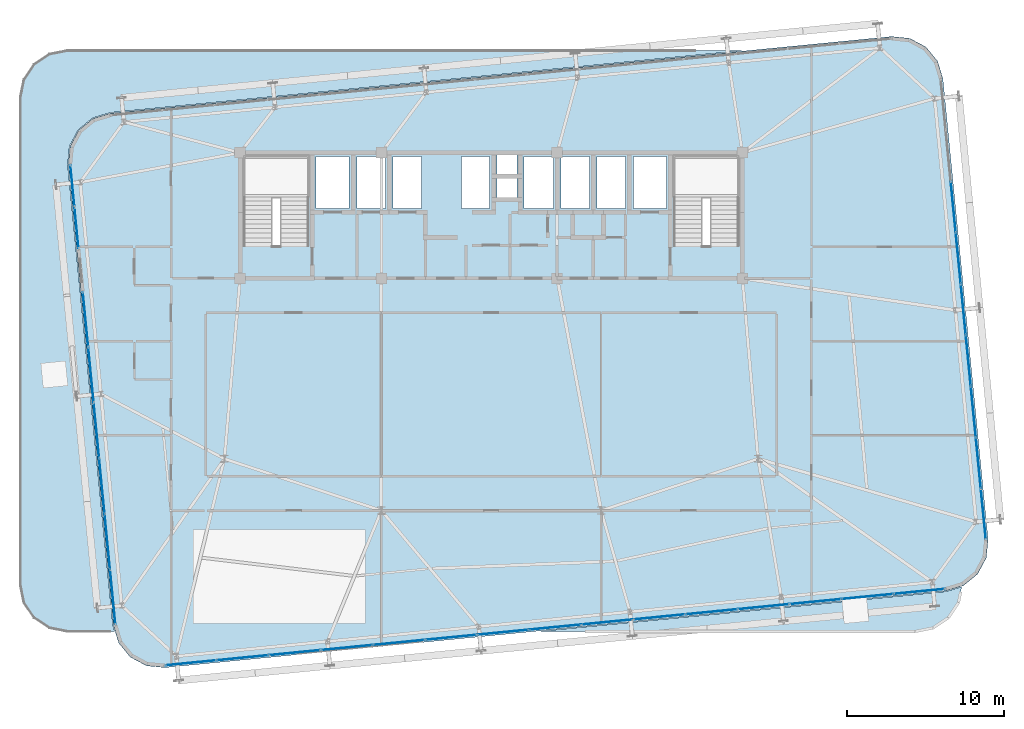
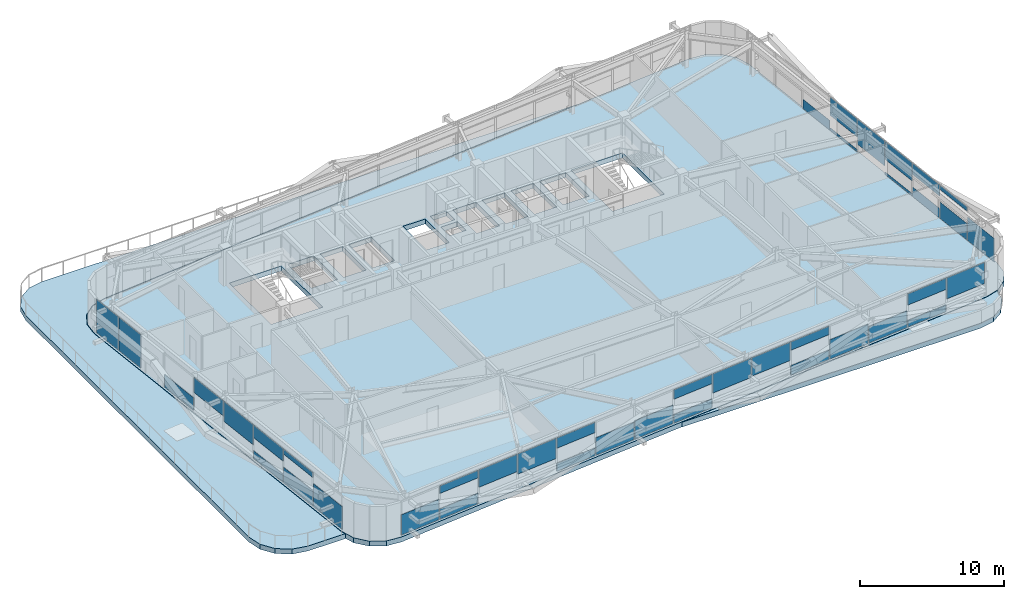
# One storey, part 34 of 51: 41 plates, 3 slabs, 4 elements without a shape of their own.
"""IFC4 building model written with IfcOpenShell, lengths in metres."""

import ifcopenshell
import ifcopenshell.guid

model = None  # the IFC model being written
_history = None  # IfcOwnerHistory: only IFC2X3 demands one
_inside = {}  # id of a spatial element -> (the spatial element, [elements in it])
_under = {}  # id of a project, library or spatial element -> (it, [spatial elements below it])
_declared = {}  # id of a project -> (the project, [libraries it declares])
_typed = {}  # id of a type object -> (the type object, [elements of that type])
_made_of = {}  # id of a material, layer set ... -> (it, [elements and type objects made of it])


def new_model(schema):
    """Start an empty IFC model of exactly this schema.

    Asked for "IFC4X3", IfcOpenShell would pick the latest addendum, in which some entities
    have other attributes; the version numbers below select the first issue.
    IFC2X3 requires an IfcOwnerHistory on every rooted entity: one is made here for all.
    """
    global model, _history
    if schema == "IFC4X3":
        model = ifcopenshell.file(schema_version=(4, 3, 0, 0))
    else:
        model = ifcopenshell.file(schema=schema)
    _inside.clear()
    _under.clear()
    _declared.clear()
    _typed.clear()
    _made_of.clear()
    _history = None
    if model.schema == "IFC2X3":
        org = make("IfcOrganization", Name="unknown")
        user = make(
            "IfcPersonAndOrganization",
            ThePerson=make("IfcPerson", FamilyName="unknown"),
            TheOrganization=org,
        )
        app = make(
            "IfcApplication",
            ApplicationDeveloper=org,
            Version="unknown",
            ApplicationFullName="unknown",
            ApplicationIdentifier="unknown",
        )
        _history = make(
            "IfcOwnerHistory",
            OwningUser=user,
            OwningApplication=app,
            ChangeAction="ADDED",
            CreationDate=0,
        )
    return model


def make(cls, **values):
    """One entity of the class cls with the attributes given. An attribute that is None is left unset."""
    return model.create_entity(
        cls, **{name: value for name, value in values.items() if value is not None}
    )


def rooted(cls, **values):
    """An entity with a GlobalId (a new one), such as an element, a storey or a relation."""
    return make(cls, GlobalId=ifcopenshell.guid.new(), OwnerHistory=_history, **values)


def si_unit(unit_type, name, prefix=None):
    """IfcSIUnit, for example si_unit("LENGTHUNIT", "METRE", prefix="MILLI")."""
    return make("IfcSIUnit", UnitType=unit_type, Prefix=prefix, Name=name)


def assignment(units):
    """IfcUnitAssignment: the units of a project."""
    return None if units is None else make("IfcUnitAssignment", Units=units)


def point(xyz):
    """IfcCartesianPoint."""
    return None if xyz is None else make("IfcCartesianPoint", Coordinates=xyz)


def direction(xyz):
    """IfcDirection."""
    return None if xyz is None else make("IfcDirection", DirectionRatios=xyz)


def frame(location, z_axis=None, x_axis=None):
    """IfcAxis2Placement3D, a coordinate frame: its origin and axes. An axis left out is left unset."""
    return make(
        "IfcAxis2Placement3D",
        Location=point(location),
        Axis=direction(z_axis),
        RefDirection=direction(x_axis),
    )


def frame_2d(location, x_axis=None):
    """IfcAxis2Placement2D, a coordinate frame in the plane: its origin and x axis."""
    return make(
        "IfcAxis2Placement2D", Location=point(location), RefDirection=direction(x_axis)
    )


def origin():
    """The frame at (0, 0, 0) with its axes left unset."""
    return frame((0.0, 0.0, 0.0))


def origin_2d():
    """The frame at (0, 0) in the plane with its x axis left unset."""
    return frame_2d((0.0, 0.0))


def place(relative_to, where):
    """IfcLocalPlacement: puts the frame where relative to a parent placement (None: the world)."""
    return make(
        "IfcLocalPlacement", PlacementRelTo=relative_to, RelativePlacement=where
    )


def context(
    kind, dimensions, precision=None, world=None, true_north=None, identifier=None
):
    """IfcGeometricRepresentationContext, for example the 3D "Model" context."""
    return make(
        "IfcGeometricRepresentationContext",
        ContextIdentifier=identifier,
        ContextType=kind,
        CoordinateSpaceDimension=dimensions,
        Precision=precision,
        WorldCoordinateSystem=world,
        TrueNorth=true_north,
    )


def subcontext(parent, identifier, kind, view, scale=None):
    """IfcGeometricRepresentationSubContext, for example "Body" below "Model"."""
    return make(
        "IfcGeometricRepresentationSubContext",
        ContextIdentifier=identifier,
        ContextType=kind,
        ParentContext=parent,
        TargetScale=scale,
        TargetView=view,
    )


def project(units=None, contexts=None):
    """IfcProject with its units and contexts."""
    return rooted(
        "IfcProject",
        Name="project",
        RepresentationContexts=contexts,
        UnitsInContext=assignment(units),
    )


def spatial(cls, under=None, at=None, **own):
    """A site, building, storey or space (cls), placed at a placement, below another one or the project."""
    s = rooted(cls, ObjectPlacement=at, **own)
    if under is not None:
        _under.setdefault(under.id(), (under, []))[1].append(s)
    return s


def polyline(points):
    """IfcPolyline through the points."""
    return make("IfcPolyline", Points=[point(p) for p in points])


def profile(cls, at=None, kind="AREA", **sizes):
    """A parametric profile (cls). Its sizes go by their IFC names, for example OverallWidth=200.0."""
    return make(cls, ProfileType=kind, Position=at, **sizes)


def rectangle(**sizes):
    """IfcRectangleProfileDef."""
    return profile("IfcRectangleProfileDef", **sizes)


def outline(outer, holes=None, kind="AREA"):
    """IfcArbitraryClosedProfileDef: a profile drawn as a closed curve; with holes, ...WithVoids."""
    if holes is None:
        return make("IfcArbitraryClosedProfileDef", ProfileType=kind, OuterCurve=outer)
    return make(
        "IfcArbitraryProfileDefWithVoids",
        ProfileType=kind,
        OuterCurve=outer,
        InnerCurves=holes,
    )


def extrude(swept, where, along, depth):
    """IfcExtrudedAreaSolid: the profile swept, set in the frame where, extruded along a direction by depth."""
    return make(
        "IfcExtrudedAreaSolid",
        SweptArea=swept,
        Position=where,
        ExtrudedDirection=direction(along),
        Depth=depth,
    )


def shape(context_of_items, identifier, shape_type, items):
    """IfcShapeRepresentation: the items that make up one representation, for example the "Body"."""
    return make(
        "IfcShapeRepresentation",
        ContextOfItems=context_of_items,
        RepresentationIdentifier=identifier,
        RepresentationType=shape_type,
        Items=items,
    )


def source(mapping_origin, context_of_items, identifier, shape_type, items):
    """IfcRepresentationMap: a shape defined once, which mapped items show again and again."""
    return make(
        "IfcRepresentationMap",
        MappingOrigin=mapping_origin,
        MappedRepresentation=shape(context_of_items, identifier, shape_type, items),
    )


def transform(
    local_origin,
    x_axis=None,
    y_axis=None,
    z_axis=None,
    scale=None,
    scale2=None,
    scale3=None,
    uniform=True,
):
    """IfcCartesianTransformationOperator3D, or its non-uniform kind. x_axis, y_axis, z_axis: its Axis1, 2, 3."""
    if uniform:
        return make(
            "IfcCartesianTransformationOperator3D",
            Axis1=direction(x_axis),
            Axis2=direction(y_axis),
            LocalOrigin=point(local_origin),
            Scale=scale,
            Axis3=direction(z_axis),
        )
    return make(
        "IfcCartesianTransformationOperator3DnonUniform",
        Axis1=direction(x_axis),
        Axis2=direction(y_axis),
        LocalOrigin=point(local_origin),
        Scale=scale,
        Axis3=direction(z_axis),
        Scale2=scale2,
        Scale3=scale3,
    )


def mapped(mapping_source, mapping_target):
    """IfcMappedItem: shows the shape of a source again, moved by a transform."""
    return make(
        "IfcMappedItem", MappingSource=mapping_source, MappingTarget=mapping_target
    )


def material(Name=None, Category=None):
    """IfcMaterial."""
    return make("IfcMaterial", Name=Name, Category=Category)


def layer(
    of_material, thickness, ventilated=None, Name=None, Category=None, Priority=None
):
    """IfcMaterialLayer: one layer of a wall or slab, of a material (None: an air gap)."""
    return make(
        "IfcMaterialLayer",
        Material=of_material,
        LayerThickness=thickness,
        IsVentilated=ventilated,
        Name=Name,
        Category=Category,
        Priority=Priority,
    )


def layer_set(layers, Name=None):
    """IfcMaterialLayerSet."""
    return make("IfcMaterialLayerSet", MaterialLayers=layers, LayerSetName=Name)


def made_of(thing, what):
    """Note that an element or type object is made of a material, layer set ...; save() writes the relation."""
    if what is not None:
        _made_of.setdefault(what.id(), (what, []))[1].append(thing)
    return thing


def type_object(cls, material=None, **own):
    """A type object (cls), such as IfcWallType, which elements share."""
    return made_of(rooted(cls, **own), material)


def element(
    cls,
    number,
    at=None,
    inside=None,
    cuts=None,
    type_object=None,
    material=None,
    context=None,
    identifier="Body",
    shape_type=None,
    held_by="IfcProductDefinitionShape",
    body=None,
    shapes=None,
    **own,
):
    """One element of the class cls, such as IfcWall. Its Tag is "e" and its number.

    at: its placement. inside: the storey or other place that contains it. cuts: it is an
    opening in that element (IfcRelVoidsElement). A single representation is given by context,
    identifier, shape_type and body (its items); several are given by shapes. held_by: the class
    of the entity that holds the representations. save() writes the other relations.
    """
    e = rooted(cls, Tag="e%d" % number, ObjectPlacement=at, **own)
    if body is not None:
        shapes = [shape(context, identifier, shape_type, body)]
    if shapes is not None:
        e.Representation = make(held_by, Representations=shapes)
    if inside is not None:
        _inside.setdefault(inside.id(), (inside, []))[1].append(e)
    if cuts is not None:
        rooted(
            "IfcRelVoidsElement", RelatingBuildingElement=cuts, RelatedOpeningElement=e
        )
    if type_object is not None:
        _typed.setdefault(type_object.id(), (type_object, []))[1].append(e)
    return made_of(e, material)


def aggregate(whole, parts):
    """IfcRelAggregates: a whole, such as a stair, and the parts it consists of."""
    return rooted("IfcRelAggregates", RelatingObject=whole, RelatedObjects=parts)


def save(model, path):
    """Write the relations noted so far, then the file.

    IfcRelAggregates (storeys below a building ...), IfcRelContainedInSpatialStructure (elements
    in a storey), IfcRelDefinesByType, IfcRelAssociatesMaterial and IfcRelDeclares: one each for
    every whole, place, type object, material and project.
    """
    for whole, parts in _under.values():
        aggregate(whole, parts)
    for where, things in _inside.values():
        rooted(
            "IfcRelContainedInSpatialStructure",
            RelatedElements=things,
            RelatingStructure=where,
        )
    for kind, things in _typed.values():
        rooted("IfcRelDefinesByType", RelatedObjects=things, RelatingType=kind)
    for what, things in _made_of.values():
        rooted("IfcRelAssociatesMaterial", RelatedObjects=things, RelatingMaterial=what)
    for by, libraries in _declared.values():
        rooted("IfcRelDeclares", RelatingContext=by, RelatedDefinitions=libraries)
    model.write(path)


model = new_model("IFC4")

# Units and contexts
model_context = context("Model", 3, precision=1e-05, world=origin(), true_north=direction((0.0, 1.0)))
body_context = subcontext(model_context, "Body", "Model", "MODEL_VIEW")
ifc_project = project(units=[si_unit("LENGTHUNIT", "METRE"), si_unit("AREAUNIT", "SQUARE_METRE"), si_unit("VOLUMEUNIT", "CUBIC_METRE"), si_unit("PLANEANGLEUNIT", "RADIAN"), si_unit("MASSUNIT", "GRAM", prefix="KILO")], contexts=[model_context])

# Site, building, storey
site_placement = place(None, origin())
site = spatial("IfcSite", under=ifc_project, at=site_placement, CompositionType="ELEMENT")
building_placement = place(site_placement, origin())
building = spatial("IfcBuilding", under=site, at=building_placement, Name="Taldren Reach Tower", CompositionType="ELEMENT")
storey_placement = place(building_placement, frame((0.0, 0.0, 65.10009765625)))
storey = spatial("IfcBuildingStorey", under=building, at=storey_placement, Name="L19", CompositionType="ELEMENT", Elevation=65.10009765625)

# Slabs
ifc_material_1 = material(Name="Concrete S50 (50 MPa)", Category="concrete")
ifc_layer_1 = layer(ifc_material_1, 0.419921875)
ifc_layer_set_1 = layer_set([ifc_layer_1], Name="Concrete S50 (50 MPa)")
slab_type_1 = type_object("IfcSlabType", Name="SL-TERR-420", PredefinedType="FLOOR", material=ifc_layer_set_1)
slab_1_placement = place(storey_placement, frame((0.0, 0.0, -0.420166015625)))
element("IfcSlab", 1, at=slab_1_placement, inside=storey, type_object=slab_type_1, Name="Planted setback sky terrace L19-1", PredefinedType="FLOOR", context=body_context, shape_type="SweptSolid", body=[
    extrude(outline(polyline([(6.85205078125, 1.728271484375), (5.878662109375, 2.378662109375), (5.228271484375, 3.35205078125), (5.0, 4.5), (5.0, 35.5), (5.228271484375, 36.64794921875), (5.878662109375, 37.621337890625), (6.85205078125, 38.271728515625), (8.0, 38.5), (50.962646484375, 38.5), (10.734375, 34.5556640625), (10.7314453125, 34.55517578125), (10.728515625, 34.554443359375), (9.608154296875, 34.215087890625), (9.60546875, 34.214111328125), (9.602783203125, 34.212890625), (9.600341796875, 34.21142578125), (9.597900390625, 34.209716796875), (8.69287109375, 33.467529296875), (8.690673828125, 33.46533203125), (8.6884765625, 33.46337890625), (8.686767578125, 33.4609375), (8.685302734375, 33.45849609375), (8.133056640625, 32.42626953125), (8.1318359375, 32.423583984375), (8.130859375, 32.4208984375), (8.130126953125, 32.41796875), (8.129638671875, 32.4150390625), (8.014404296875, 31.250244140625), (8.014404296875, 31.247314453125), (8.014404296875, 31.244384765625), (10.89306640625, 1.88525390625), (10.8935546875, 1.88232421875), (10.894287109375, 1.87939453125), (11.00927734375, 1.5), (8.0, 1.5), (6.85205078125, 1.728271484375)])), origin(), (0.0, 0.0, 1.0), 0.420166015625),
])
slab_2_placement = place(storey_placement, frame((0.0, 0.0, -0.420166015625)))
element("IfcSlab", 2, at=slab_2_placement, inside=storey, type_object=slab_type_1, Name="Planted setback sky terrace L19-2", PredefinedType="FLOOR", context=body_context, shape_type="SweptSolid", body=[
    extrude(outline(polyline([(64.121337890625, 2.378662109375), (63.14794921875, 1.728271484375), (62.0, 1.5), (38.015625, 1.5), (63.9658203125, 4.04443359375), (63.968505859375, 4.044921875), (63.971435546875, 4.045654296875), (64.9697265625, 4.347900390625), (64.771728515625, 3.35205078125), (64.121337890625, 2.378662109375)])), origin(), (0.0, 0.0, 1.0), 0.420166015625),
])
ifc_material_2 = material(Name="Concrete S65 (65 MPa)", Category="concrete")
ifc_layer_2 = layer(ifc_material_2, 0.419921875)
ifc_layer_set_2 = layer_set([ifc_layer_2], Name="Concrete S65 (65 MPa)")
slab_type_2 = type_object("IfcSlabType", Name="SL-TRANS-420", PredefinedType="FLOOR", material=ifc_layer_set_2)
slab_3_placement = place(storey_placement, frame((0.0, 0.0, -0.420166015625)))
element("IfcSlab", 3, at=slab_3_placement, inside=storey, type_object=slab_type_2, Name="Suspended floor slab L19", PredefinedType="FLOOR", context=body_context, shape_type="SweptSolid", body=[
    extrude(outline(polyline([(63.962890625, 4.07421875), (65.0830078125, 4.41357421875), (65.98828125, 5.15576171875), (66.54052734375, 6.187744140625), (66.65576171875, 7.352783203125), (63.777099609375, 36.7119140625), (63.437744140625, 37.832275390625), (62.695556640625, 38.7373046875), (61.663330078125, 39.28955078125), (60.49853515625, 39.40478515625), (10.7373046875, 34.525634765625), (9.616943359375, 34.1865234375), (8.711669921875, 33.4443359375), (8.159423828125, 32.412109375), (8.044189453125, 31.247314453125), (10.923095703125, 1.88818359375), (11.26220703125, 0.767822265625), (12.00439453125, -0.137451171875), (13.03662109375, -0.689697265625), (14.201416015625, -0.804931640625), (63.962890625, 4.07421875)]), holes=[polyline([(19.219970703125, 26.050048828125), (23.3798828125, 26.050048828125), (23.3798828125, 31.820068359375), (19.219970703125, 31.820068359375), (19.219970703125, 26.050048828125)]), polyline([(46.6201171875, 26.050048828125), (50.780029296875, 26.050048828125), (50.780029296875, 31.820068359375), (46.6201171875, 31.820068359375), (46.6201171875, 26.050048828125)]), polyline([(23.85009765625, 28.449951171875), (25.949951171875, 28.449951171875), (25.949951171875, 31.75), (23.85009765625, 31.75), (23.85009765625, 28.449951171875)]), polyline([(44.050048828125, 28.449951171875), (46.14990234375, 28.449951171875), (46.14990234375, 31.75), (44.050048828125, 31.75), (44.050048828125, 28.449951171875)]), polyline([(26.449951171875, 28.449951171875), (28.25, 28.449951171875), (28.25, 31.75), (26.449951171875, 31.75), (26.449951171875, 28.449951171875)]), polyline([(28.75, 28.449951171875), (30.550048828125, 28.449951171875), (30.550048828125, 31.75), (28.75, 31.75), (28.75, 28.449951171875)]), polyline([(33.10009765625, 28.449951171875), (34.89990234375, 28.449951171875), (34.89990234375, 31.75), (33.10009765625, 31.75), (33.10009765625, 28.449951171875)]), polyline([(37.10009765625, 28.449951171875), (38.949951171875, 28.449951171875), (38.949951171875, 31.75), (37.10009765625, 31.75), (37.10009765625, 28.449951171875)]), polyline([(39.449951171875, 28.449951171875), (41.25, 28.449951171875), (41.25, 31.75), (39.449951171875, 31.75), (39.449951171875, 28.449951171875)]), polyline([(41.75, 28.449951171875), (43.550048828125, 28.449951171875), (43.550048828125, 31.75), (41.75, 31.75), (41.75, 28.449951171875)]), polyline([(35.35009765625, 30.64990234375), (36.64990234375, 30.64990234375), (36.64990234375, 31.85009765625), (35.35009765625, 31.85009765625), (35.35009765625, 30.64990234375)]), polyline([(35.35009765625, 29.14990234375), (36.64990234375, 29.14990234375), (36.64990234375, 30.35009765625), (35.35009765625, 30.35009765625), (35.35009765625, 29.14990234375)])]), origin(), (0.0, 0.0, 1.0), 0.420166015625),
])

# Curtain wall, plates
ifc_material_3 = material(Name="Aluminium and Low-E Glass Unitised System", Category="aluminium")
ifc_layer_3 = layer(ifc_material_3, 0.159912109375)
ifc_layer_set_3 = layer_set([ifc_layer_3], Name="Aluminium and Low-E Glass Unitised System")
curtain_wall_type = type_object("IfcCurtainWallType", Name="CW-SYS-3", PredefinedType="NOTDEFINED", material=ifc_layer_set_3)
curtain_wall_1_placement = place(storey_placement, origin())
curtain_wall_1 = element("IfcCurtainWall", 4, at=curtain_wall_1_placement, inside=storey, type_object=curtain_wall_type, Name="Unitised curtain wall CW-L19-W1", PredefinedType="NOTDEFINED")
ifc_material_4 = material(Name="Solar-Control Double Glazed IGU", Category="glass")
ifc_layer_4 = layer(ifc_material_4, 0.031982421875)
ifc_layer_set_4 = layer_set([ifc_layer_4], Name="Solar-Control Double Glazed IGU")
plate_type = type_object("IfcPlateType", Name="CW-PNL-IGU32", PredefinedType="CURTAIN_PANEL", material=ifc_layer_set_4)
shared_shape_1 = source(origin(), body_context, "Body", "SweptSolid", [
    extrude(rectangle(XDim=2.6201171875, YDim=0.031982421875, at=origin_2d()), origin(), (0.0, 0.0, 1.0), 2.820068359375),
])
plate_1_placement = place(storey_placement, frame((8.31787109375, 29.892578125, 0.0546875), z_axis=(0.0, 0.0, 1.0), x_axis=(0.097582358493, -0.995227453053, 0.0)))
plate_1 = element("IfcPlate", 5, at=plate_1_placement, type_object=plate_type, Name="CW-3 panel 1.1", PredefinedType="CURTAIN_PANEL", context=body_context, shape_type="MappedRepresentation", body=[
    mapped(shared_shape_1, transform((0.0, 0.0, 0.0), scale=1.0)),
])
plate_2_placement = place(storey_placement, frame((8.579833984375, 27.22021484375, 0.0546875), z_axis=(0.0, 0.0, 1.0), x_axis=(0.097582358493, -0.995227453053, 0.0)))
plate_2 = element("IfcPlate", 6, at=plate_2_placement, type_object=plate_type, Name="CW-3 panel 2.1", PredefinedType="CURTAIN_PANEL", context=body_context, shape_type="MappedRepresentation", body=[
    mapped(shared_shape_1, transform((0.0, 0.0, 0.0), scale=1.0)),
])
aggregate(curtain_wall_1, [plate_1, plate_2])

curtain_wall_2_placement = place(storey_placement, origin())
curtain_wall_2 = element("IfcCurtainWall", 7, at=curtain_wall_2_placement, inside=storey, type_object=curtain_wall_type, Name="Unitised curtain wall CW-L19-S", PredefinedType="NOTDEFINED")
shared_shape_2 = source(origin(), body_context, "Body", "SweptSolid", [
    extrude(rectangle(XDim=3.23583984375, YDim=0.031982421875, at=origin_2d()), origin(), (0.0, 0.0, 1.0), 1.72509765625),
])
plate_3_placement = place(storey_placement, frame((15.862548828125, -0.501220703125, 0.054931640625), z_axis=(0.0, 0.0, 1.0), x_axis=(0.995227390247, 0.097582999046, 0.0)))
plate_3 = element("IfcPlate", 8, at=plate_3_placement, type_object=plate_type, Name="CW-3 panel 1.1 part 1", PredefinedType="CURTAIN_PANEL", context=body_context, shape_type="MappedRepresentation", body=[
    mapped(shared_shape_2, transform((0.0, 0.0, 0.0), scale=1.0)),
])
shared_shape_3 = source(origin(), body_context, "Body", "SweptSolid", [
    extrude(rectangle(XDim=3.268310546875, YDim=0.031982421875, at=origin_2d()), origin(), (0.0, 0.0, 1.0), 0.88818359375),
])
plate_4_placement = place(storey_placement, frame((19.163818359375, -0.177734375, 0.054931640625), z_axis=(0.0, 0.0, 1.0), x_axis=(0.995227390247, 0.097582999046, 0.0)))
plate_4 = element("IfcPlate", 9, at=plate_4_placement, type_object=plate_type, Name="CW-3 panel 2.1 part 1", PredefinedType="CURTAIN_PANEL", context=body_context, shape_type="MappedRepresentation", body=[
    mapped(shared_shape_3, transform((0.0, 0.0, 0.0), scale=1.0)),
])
shared_shape_4 = source(origin(), body_context, "Body", "SweptSolid", [
    extrude(rectangle(XDim=3.268310546875, YDim=0.031982421875, at=origin_2d()), origin(), (0.0, 0.0, 1.0), 0.626953125),
])
plate_5_placement = place(storey_placement, frame((19.163818359375, -0.177734375, 2.248046875), z_axis=(0.0, 0.0, 1.0), x_axis=(0.995227390247, 0.097582999046, 0.0)))
plate_5 = element("IfcPlate", 10, at=plate_5_placement, type_object=plate_type, Name="CW-3 panel 2.1 part 2", PredefinedType="CURTAIN_PANEL", context=body_context, shape_type="MappedRepresentation", body=[
    mapped(shared_shape_4, transform((0.0, 0.0, 0.0), scale=1.0)),
])
shared_shape_5 = source(origin(), body_context, "Body", "SweptSolid", [
    extrude(rectangle(XDim=3.268310546875, YDim=0.031982421875, at=origin_2d()), origin(), (0.0, 0.0, 1.0), 1.4638671875),
])
plate_6_placement = place(storey_placement, frame((22.481201171875, 0.147705078125, 1.4111328125), z_axis=(0.0, 0.0, 1.0), x_axis=(0.995227390247, 0.097582999046, 0.0)))
plate_6 = element("IfcPlate", 11, at=plate_6_placement, type_object=plate_type, Name="CW-3 panel 3.1 part 1", PredefinedType="CURTAIN_PANEL", context=body_context, shape_type="MappedRepresentation", body=[
    mapped(shared_shape_5, transform((0.0, 0.0, 0.0), scale=1.0)),
])
shared_shape_6 = source(origin(), body_context, "Body", "SweptSolid", [
    extrude(rectangle(XDim=3.268310546875, YDim=0.031982421875, at=origin_2d()), origin(), (0.0, 0.0, 1.0), 1.704833984375),
])
plate_7_placement = place(storey_placement, frame((25.798828125, 0.472900390625, 1.169921875), z_axis=(0.0, 0.0, 1.0), x_axis=(0.995227390247, 0.097582999046, 0.0)))
plate_7 = element("IfcPlate", 12, at=plate_7_placement, type_object=plate_type, Name="CW-3 panel 4.1 part 1", PredefinedType="CURTAIN_PANEL", context=body_context, shape_type="MappedRepresentation", body=[
    mapped(shared_shape_6, transform((0.0, 0.0, 0.0), scale=1.0)),
])
shared_shape_7 = source(origin(), body_context, "Body", "SweptSolid", [
    extrude(rectangle(XDim=3.268310546875, YDim=0.031982421875, at=origin_2d()), origin(), (0.0, 0.0, 1.0), 0.647216796875),
])
plate_8_placement = place(storey_placement, frame((29.1162109375, 0.798095703125, 0.05517578125), z_axis=(0.0, 0.0, 1.0), x_axis=(0.995227390247, 0.097582999046, 0.0)))
plate_8 = element("IfcPlate", 13, at=plate_8_placement, type_object=plate_type, Name="CW-3 panel 5.1 part 1", PredefinedType="CURTAIN_PANEL", context=body_context, shape_type="MappedRepresentation", body=[
    mapped(shared_shape_7, transform((0.0, 0.0, 0.0), scale=1.0)),
])
shared_shape_8 = source(origin(), body_context, "Body", "SweptSolid", [
    extrude(rectangle(XDim=3.268310546875, YDim=0.031982421875, at=origin_2d()), origin(), (0.0, 0.0, 1.0), 0.867919921875),
])
plate_9_placement = place(storey_placement, frame((29.1162109375, 0.798095703125, 2.0068359375), z_axis=(0.0, 0.0, 1.0), x_axis=(0.995227390247, 0.097582999046, 0.0)))
plate_9 = element("IfcPlate", 14, at=plate_9_placement, type_object=plate_type, Name="CW-3 panel 5.1 part 2", PredefinedType="CURTAIN_PANEL", context=body_context, shape_type="MappedRepresentation", body=[
    mapped(shared_shape_8, transform((0.0, 0.0, 0.0), scale=1.0)),
])
shared_shape_9 = source(origin(), body_context, "Body", "SweptSolid", [
    extrude(rectangle(XDim=3.268310546875, YDim=0.031982421875, at=origin_2d()), origin(), (0.0, 0.0, 1.0), 1.484130859375),
])
plate_10_placement = place(storey_placement, frame((32.43359375, 1.12353515625, 0.0546875), z_axis=(0.0, 0.0, 1.0), x_axis=(0.995227390247, 0.097582999046, 0.0)))
plate_10 = element("IfcPlate", 15, at=plate_10_placement, type_object=plate_type, Name="CW-3 panel 6.1 part 1", PredefinedType="CURTAIN_PANEL", context=body_context, shape_type="MappedRepresentation", body=[
    mapped(shared_shape_9, transform((0.0, 0.0, 0.0), scale=1.0)),
])
shared_shape_10 = source(origin(), body_context, "Body", "SweptSolid", [
    extrude(rectangle(XDim=3.268310546875, YDim=0.031982421875, at=origin_2d()), origin(), (0.0, 0.0, 1.0), 1.564453125),
])
plate_11_placement = place(storey_placement, frame((35.7509765625, 1.44873046875, 0.054931640625), z_axis=(0.0, 0.0, 1.0), x_axis=(0.995227390247, 0.097582999046, 0.0)))
plate_11 = element("IfcPlate", 16, at=plate_11_placement, type_object=plate_type, Name="CW-3 panel 7.1 part 1", PredefinedType="CURTAIN_PANEL", context=body_context, shape_type="MappedRepresentation", body=[
    mapped(shared_shape_10, transform((0.0, 0.0, 0.0), scale=1.0)),
])
shared_shape_11 = source(origin(), body_context, "Body", "SweptSolid", [
    extrude(rectangle(XDim=3.268310546875, YDim=0.031982421875, at=origin_2d()), origin(), (0.0, 0.0, 1.0), 0.7275390625),
])
plate_12_placement = place(storey_placement, frame((39.068359375, 1.77392578125, 0.054931640625), z_axis=(0.0, 0.0, 1.0), x_axis=(0.995227390247, 0.097582999046, 0.0)))
plate_12 = element("IfcPlate", 17, at=plate_12_placement, type_object=plate_type, Name="CW-3 panel 8.1 part 1", PredefinedType="CURTAIN_PANEL", context=body_context, shape_type="MappedRepresentation", body=[
    mapped(shared_shape_11, transform((0.0, 0.0, 0.0), scale=1.0)),
])
shared_shape_12 = source(origin(), body_context, "Body", "SweptSolid", [
    extrude(rectangle(XDim=3.268310546875, YDim=0.031982421875, at=origin_2d()), origin(), (0.0, 0.0, 1.0), 0.78759765625),
])
plate_13_placement = place(storey_placement, frame((39.068359375, 1.77392578125, 2.08740234375), z_axis=(0.0, 0.0, 1.0), x_axis=(0.995227390247, 0.097582999046, 0.0)))
plate_13 = element("IfcPlate", 18, at=plate_13_placement, type_object=plate_type, Name="CW-3 panel 8.1 part 2", PredefinedType="CURTAIN_PANEL", context=body_context, shape_type="MappedRepresentation", body=[
    mapped(shared_shape_12, transform((0.0, 0.0, 0.0), scale=1.0)),
])
shared_shape_13 = source(origin(), body_context, "Body", "SweptSolid", [
    extrude(rectangle(XDim=3.268310546875, YDim=0.031982421875, at=origin_2d()), origin(), (0.0, 0.0, 1.0), 1.62451171875),
])
plate_14_placement = place(storey_placement, frame((42.3857421875, 2.099365234375, 1.25048828125), z_axis=(0.0, 0.0, 1.0), x_axis=(0.995227390247, 0.097582999046, 0.0)))
plate_14 = element("IfcPlate", 19, at=plate_14_placement, type_object=plate_type, Name="CW-3 panel 9.1 part 1", PredefinedType="CURTAIN_PANEL", context=body_context, shape_type="MappedRepresentation", body=[
    mapped(shared_shape_13, transform((0.0, 0.0, 0.0), scale=1.0)),
])
shared_shape_14 = source(origin(), body_context, "Body", "SweptSolid", [
    extrude(rectangle(XDim=3.268310546875, YDim=0.031982421875, at=origin_2d()), origin(), (0.0, 0.0, 1.0), 1.544189453125),
])
plate_15_placement = place(storey_placement, frame((45.703369140625, 2.424560546875, 1.33056640625), z_axis=(0.0, 0.0, 1.0), x_axis=(0.995227390247, 0.097582999046, 0.0)))
plate_15 = element("IfcPlate", 20, at=plate_15_placement, type_object=plate_type, Name="CW-3 panel 10.1 part 1", PredefinedType="CURTAIN_PANEL", context=body_context, shape_type="MappedRepresentation", body=[
    mapped(shared_shape_14, transform((0.0, 0.0, 0.0), scale=1.0)),
])
shared_shape_15 = source(origin(), body_context, "Body", "SweptSolid", [
    extrude(rectangle(XDim=3.268310546875, YDim=0.031982421875, at=origin_2d()), origin(), (0.0, 0.0, 1.0), 0.807861328125),
])
plate_16_placement = place(storey_placement, frame((49.020751953125, 2.749755859375, 0.05517578125), z_axis=(0.0, 0.0, 1.0), x_axis=(0.995227390247, 0.097582999046, 0.0)))
plate_16 = element("IfcPlate", 21, at=plate_16_placement, type_object=plate_type, Name="CW-3 panel 11.1 part 1", PredefinedType="CURTAIN_PANEL", context=body_context, shape_type="MappedRepresentation", body=[
    mapped(shared_shape_15, transform((0.0, 0.0, 0.0), scale=1.0)),
])
shared_shape_16 = source(origin(), body_context, "Body", "SweptSolid", [
    extrude(rectangle(XDim=3.268310546875, YDim=0.031982421875, at=origin_2d()), origin(), (0.0, 0.0, 1.0), 0.707275390625),
])
plate_17_placement = place(storey_placement, frame((49.020751953125, 2.749755859375, 2.16748046875), z_axis=(0.0, 0.0, 1.0), x_axis=(0.995227390247, 0.097582999046, 0.0)))
plate_17 = element("IfcPlate", 22, at=plate_17_placement, type_object=plate_type, Name="CW-3 panel 11.1 part 2", PredefinedType="CURTAIN_PANEL", context=body_context, shape_type="MappedRepresentation", body=[
    mapped(shared_shape_16, transform((0.0, 0.0, 0.0), scale=1.0)),
])
shared_shape_17 = source(origin(), body_context, "Body", "SweptSolid", [
    extrude(rectangle(XDim=3.268310546875, YDim=0.031982421875, at=origin_2d()), origin(), (0.0, 0.0, 1.0), 1.644775390625),
])
plate_18_placement = place(storey_placement, frame((52.338134765625, 3.0751953125, 0.0546875), z_axis=(0.0, 0.0, 1.0), x_axis=(0.995227390247, 0.097582999046, 0.0)))
plate_18 = element("IfcPlate", 23, at=plate_18_placement, type_object=plate_type, Name="CW-3 panel 12.1 part 1", PredefinedType="CURTAIN_PANEL", context=body_context, shape_type="MappedRepresentation", body=[
    mapped(shared_shape_17, transform((0.0, 0.0, 0.0), scale=1.0)),
])
shared_shape_18 = source(origin(), body_context, "Body", "SweptSolid", [
    extrude(rectangle(XDim=3.268310546875, YDim=0.031982421875, at=origin_2d()), origin(), (0.0, 0.0, 1.0), 1.40380859375),
])
plate_19_placement = place(storey_placement, frame((55.655517578125, 3.400390625, 0.054931640625), z_axis=(0.0, 0.0, 1.0), x_axis=(0.995227390247, 0.097582999046, 0.0)))
plate_19 = element("IfcPlate", 24, at=plate_19_placement, type_object=plate_type, Name="CW-3 panel 13.1 part 1", PredefinedType="CURTAIN_PANEL", context=body_context, shape_type="MappedRepresentation", body=[
    mapped(shared_shape_18, transform((0.0, 0.0, 0.0), scale=1.0)),
])
shared_shape_19 = source(origin(), body_context, "Body", "SweptSolid", [
    extrude(rectangle(XDim=3.268310546875, YDim=0.031982421875, at=origin_2d()), origin(), (0.0, 0.0, 1.0), 0.56689453125),
])
plate_20_placement = place(storey_placement, frame((58.972900390625, 3.7255859375, 0.054931640625), z_axis=(0.0, 0.0, 1.0), x_axis=(0.995227390247, 0.097582999046, 0.0)))
plate_20 = element("IfcPlate", 25, at=plate_20_placement, type_object=plate_type, Name="CW-3 panel 14.1 part 1", PredefinedType="CURTAIN_PANEL", context=body_context, shape_type="MappedRepresentation", body=[
    mapped(shared_shape_19, transform((0.0, 0.0, 0.0), scale=1.0)),
])
shared_shape_20 = source(origin(), body_context, "Body", "SweptSolid", [
    extrude(rectangle(XDim=3.268310546875, YDim=0.031982421875, at=origin_2d()), origin(), (0.0, 0.0, 1.0), 0.9482421875),
])
plate_21_placement = place(storey_placement, frame((58.972900390625, 3.7255859375, 1.926513671875), z_axis=(0.0, 0.0, 1.0), x_axis=(0.995227390247, 0.097582999046, 0.0)))
plate_21 = element("IfcPlate", 26, at=plate_21_placement, type_object=plate_type, Name="CW-3 panel 14.1 part 2", PredefinedType="CURTAIN_PANEL", context=body_context, shape_type="MappedRepresentation", body=[
    mapped(shared_shape_20, transform((0.0, 0.0, 0.0), scale=1.0)),
])
shared_shape_21 = source(origin(), body_context, "Body", "SweptSolid", [
    extrude(rectangle(XDim=3.23583984375, YDim=0.031982421875, at=origin_2d()), origin(), (0.0, 0.0, 1.0), 1.78515625),
])
plate_22_placement = place(storey_placement, frame((62.274169921875, 4.04931640625, 1.08984375), z_axis=(0.0, 0.0, 1.0), x_axis=(0.995227390247, 0.097582999046, 0.0)))
plate_22 = element("IfcPlate", 27, at=plate_22_placement, type_object=plate_type, Name="CW-3 panel 15.1 part 1", PredefinedType="CURTAIN_PANEL", context=body_context, shape_type="MappedRepresentation", body=[
    mapped(shared_shape_21, transform((0.0, 0.0, 0.0), scale=1.0)),
])
aggregate(curtain_wall_2, [plate_3, plate_4, plate_5, plate_6, plate_7, plate_8, plate_9, plate_10, plate_11, plate_12, plate_13, plate_14, plate_15, plate_16, plate_17, plate_18, plate_19, plate_20, plate_21, plate_22])

curtain_wall_3_placement = place(storey_placement, origin())
curtain_wall_3 = element("IfcCurtainWall", 28, at=curtain_wall_3_placement, inside=storey, type_object=curtain_wall_type, Name="Unitised curtain wall CW-L19-W2", PredefinedType="NOTDEFINED")
shared_shape_22 = source(origin(), body_context, "Body", "SweptSolid", [
    extrude(rectangle(XDim=3.46337890625, YDim=0.031982421875, at=origin_2d()), origin(), (0.0, 0.0, 1.0), 1.074462890625),
])
plate_23_placement = place(storey_placement, frame((9.15283203125, 21.376708984375, 0.0546875), z_axis=(0.0, 0.0, 1.0), x_axis=(0.097582977646, -0.995227392345, 0.0)))
plate_23 = element("IfcPlate", 29, at=plate_23_placement, type_object=plate_type, Name="CW-3 panel 1.1 part 1", PredefinedType="CURTAIN_PANEL", context=body_context, shape_type="MappedRepresentation", body=[
    mapped(shared_shape_22, transform((0.0, 0.0, 0.0), scale=1.0)),
])
shared_shape_23 = source(origin(), body_context, "Body", "SweptSolid", [
    extrude(rectangle(XDim=3.495849609375, YDim=0.031982421875, at=origin_2d()), origin(), (0.0, 0.0, 1.0), 1.2685546875),
])
plate_24_placement = place(storey_placement, frame((9.498779296875, 17.84912109375, 1.6064453125), z_axis=(0.0, 0.0, 1.0), x_axis=(0.097582977646, -0.995227392345, 0.0)))
plate_24 = element("IfcPlate", 30, at=plate_24_placement, type_object=plate_type, Name="CW-3 panel 2.1 part 1", PredefinedType="CURTAIN_PANEL", context=body_context, shape_type="MappedRepresentation", body=[
    mapped(shared_shape_23, transform((0.0, 0.0, 0.0), scale=1.0)),
])
shared_shape_24 = source(origin(), body_context, "Body", "SweptSolid", [
    extrude(rectangle(XDim=3.495849609375, YDim=0.031982421875, at=origin_2d()), origin(), (0.0, 0.0, 1.0), 1.692626953125),
])
plate_25_placement = place(storey_placement, frame((9.84619140625, 14.30517578125, 1.18212890625), z_axis=(0.0, 0.0, 1.0), x_axis=(0.097582977646, -0.995227392345, 0.0)))
plate_25 = element("IfcPlate", 31, at=plate_25_placement, type_object=plate_type, Name="CW-3 panel 3.1 part 1", PredefinedType="CURTAIN_PANEL", context=body_context, shape_type="MappedRepresentation", body=[
    mapped(shared_shape_24, transform((0.0, 0.0, 0.0), scale=1.0)),
])
shared_shape_25 = source(origin(), body_context, "Body", "SweptSolid", [
    extrude(rectangle(XDim=3.495849609375, YDim=0.031982421875, at=origin_2d()), origin(), (0.0, 0.0, 1.0), 0.66162109375),
])
plate_26_placement = place(storey_placement, frame((10.193603515625, 10.76123046875, 0.054931640625), z_axis=(0.0, 0.0, 1.0), x_axis=(0.097582977646, -0.995227392345, 0.0)))
plate_26 = element("IfcPlate", 32, at=plate_26_placement, type_object=plate_type, Name="CW-3 panel 4.1 part 1", PredefinedType="CURTAIN_PANEL", context=body_context, shape_type="MappedRepresentation", body=[
    mapped(shared_shape_25, transform((0.0, 0.0, 0.0), scale=1.0)),
])
shared_shape_26 = source(origin(), body_context, "Body", "SweptSolid", [
    extrude(rectangle(XDim=3.495849609375, YDim=0.031982421875, at=origin_2d()), origin(), (0.0, 0.0, 1.0), 1.05419921875),
])
plate_27_placement = place(storey_placement, frame((10.193603515625, 10.76123046875, 1.82080078125), z_axis=(0.0, 0.0, 1.0), x_axis=(0.097582977646, -0.995227392345, 0.0)))
plate_27 = element("IfcPlate", 33, at=plate_27_placement, type_object=plate_type, Name="CW-3 panel 4.1 part 2", PredefinedType="CURTAIN_PANEL", context=body_context, shape_type="MappedRepresentation", body=[
    mapped(shared_shape_26, transform((0.0, 0.0, 0.0), scale=1.0)),
])
shared_shape_27 = source(origin(), body_context, "Body", "SweptSolid", [
    extrude(rectangle(XDim=3.495849609375, YDim=0.031982421875, at=origin_2d()), origin(), (0.0, 0.0, 1.0), 1.30029296875),
])
plate_28_placement = place(storey_placement, frame((10.541015625, 7.217529296875, 0.054931640625), z_axis=(0.0, 0.0, 1.0), x_axis=(0.097582977646, -0.995227392345, 0.0)))
plate_28 = element("IfcPlate", 34, at=plate_28_placement, type_object=plate_type, Name="CW-3 panel 5.1 part 1", PredefinedType="CURTAIN_PANEL", context=body_context, shape_type="MappedRepresentation", body=[
    mapped(shared_shape_27, transform((0.0, 0.0, 0.0), scale=1.0)),
])
shared_shape_28 = source(origin(), body_context, "Body", "SweptSolid", [
    extrude(rectangle(XDim=3.495849609375, YDim=0.031982421875, at=origin_2d()), origin(), (0.0, 0.0, 1.0), 0.41552734375),
])
plate_29_placement = place(storey_placement, frame((10.541015625, 7.217529296875, 2.45947265625), z_axis=(0.0, 0.0, 1.0), x_axis=(0.097582977646, -0.995227392345, 0.0)))
plate_29 = element("IfcPlate", 35, at=plate_29_placement, type_object=plate_type, Name="CW-3 panel 5.1 part 2", PredefinedType="CURTAIN_PANEL", context=body_context, shape_type="MappedRepresentation", body=[
    mapped(shared_shape_28, transform((0.0, 0.0, 0.0), scale=1.0)),
])
shared_shape_29 = source(origin(), body_context, "Body", "SweptSolid", [
    extrude(rectangle(XDim=3.46337890625, YDim=0.031982421875, at=origin_2d()), origin(), (0.0, 0.0, 1.0), 1.938720703125),
])
plate_30_placement = place(storey_placement, frame((10.886962890625, 3.68994140625, 0.0546875), z_axis=(0.0, 0.0, 1.0), x_axis=(0.097582977646, -0.995227392345, 0.0)))
plate_30 = element("IfcPlate", 36, at=plate_30_placement, type_object=plate_type, Name="CW-3 panel 6.1 part 1", PredefinedType="CURTAIN_PANEL", context=body_context, shape_type="MappedRepresentation", body=[
    mapped(shared_shape_29, transform((0.0, 0.0, 0.0), scale=1.0)),
])
aggregate(curtain_wall_3, [plate_23, plate_24, plate_25, plate_26, plate_27, plate_28, plate_29, plate_30])

curtain_wall_4_placement = place(storey_placement, origin())
curtain_wall_4 = element("IfcCurtainWall", 37, at=curtain_wall_4_placement, inside=storey, type_object=curtain_wall_type, Name="Unitised curtain wall CW-L19-E", PredefinedType="NOTDEFINED")
shared_shape_30 = source(origin(), body_context, "Body", "SweptSolid", [
    extrude(rectangle(XDim=3.18017578125, YDim=0.031982421875, at=origin_2d()), origin(), (0.0, 0.0, 1.0), 1.989501953125),
])
plate_31_placement = place(storey_placement, frame((66.35498046875, 8.986328125, 0.0546875), z_axis=(0.0, 0.0, 1.0), x_axis=(-0.09758274098, 0.99522741555, 0.0)))
plate_31 = element("IfcPlate", 38, at=plate_31_placement, type_object=plate_type, Name="CW-3 panel 1.1 part 1", PredefinedType="CURTAIN_PANEL", context=body_context, shape_type="MappedRepresentation", body=[
    mapped(shared_shape_30, transform((0.0, 0.0, 0.0), scale=1.0)),
])
shared_shape_31 = source(origin(), body_context, "Body", "SweptSolid", [
    extrude(rectangle(XDim=3.212890625, YDim=0.031982421875, at=origin_2d()), origin(), (0.0, 0.0, 1.0), 1.401611328125),
])
plate_32_placement = place(storey_placement, frame((66.03662109375, 12.232177734375, 0.05517578125), z_axis=(0.0, 0.0, 1.0), x_axis=(-0.09758274098, 0.99522741555, 0.0)))
plate_32 = element("IfcPlate", 39, at=plate_32_placement, type_object=plate_type, Name="CW-3 panel 2.1 part 1", PredefinedType="CURTAIN_PANEL", context=body_context, shape_type="MappedRepresentation", body=[
    mapped(shared_shape_31, transform((0.0, 0.0, 0.0), scale=1.0)),
])
shared_shape_32 = source(origin(), body_context, "Body", "SweptSolid", [
    extrude(rectangle(XDim=3.212890625, YDim=0.031982421875, at=origin_2d()), origin(), (0.0, 0.0, 1.0), 0.36474609375),
])
plate_33_placement = place(storey_placement, frame((66.03662109375, 12.232177734375, 2.51025390625), z_axis=(0.0, 0.0, 1.0), x_axis=(-0.09758274098, 0.99522741555, 0.0)))
plate_33 = element("IfcPlate", 40, at=plate_33_placement, type_object=plate_type, Name="CW-3 panel 2.1 part 2", PredefinedType="CURTAIN_PANEL", context=body_context, shape_type="MappedRepresentation", body=[
    mapped(shared_shape_32, transform((0.0, 0.0, 0.0), scale=1.0)),
])
shared_shape_33 = source(origin(), body_context, "Body", "SweptSolid", [
    extrude(rectangle(XDim=3.212890625, YDim=0.031982421875, at=origin_2d()), origin(), (0.0, 0.0, 1.0), 0.81396484375),
])
plate_34_placement = place(storey_placement, frame((65.716796875, 15.494384765625, 0.054931640625), z_axis=(0.0, 0.0, 1.0), x_axis=(-0.09758274098, 0.99522741555, 0.0)))
plate_34 = element("IfcPlate", 41, at=plate_34_placement, type_object=plate_type, Name="CW-3 panel 3.1 part 1", PredefinedType="CURTAIN_PANEL", context=body_context, shape_type="MappedRepresentation", body=[
    mapped(shared_shape_33, transform((0.0, 0.0, 0.0), scale=1.0)),
])
plate_35_placement = place(storey_placement, frame((64.437255859375, 28.54296875, 0.054931640625), z_axis=(0.0, 0.0, 1.0), x_axis=(-0.09758274098, 0.99522741555, 0.0)))
plate_35 = element("IfcPlate", 42, at=plate_35_placement, type_object=plate_type, Name="CW-3 panel 7.1 part 1", PredefinedType="CURTAIN_PANEL", context=body_context, shape_type="MappedRepresentation", body=[
    mapped(shared_shape_33, transform((0.0, 0.0, 0.0), scale=1.0)),
])
shared_shape_34 = source(origin(), body_context, "Body", "SweptSolid", [
    extrude(rectangle(XDim=3.212890625, YDim=0.031982421875, at=origin_2d()), origin(), (0.0, 0.0, 1.0), 0.95263671875),
])
plate_36_placement = place(storey_placement, frame((65.716796875, 15.494384765625, 1.92236328125), z_axis=(0.0, 0.0, 1.0), x_axis=(-0.09758274098, 0.99522741555, 0.0)))
plate_36 = element("IfcPlate", 43, at=plate_36_placement, type_object=plate_type, Name="CW-3 panel 3.1 part 2", PredefinedType="CURTAIN_PANEL", context=body_context, shape_type="MappedRepresentation", body=[
    mapped(shared_shape_34, transform((0.0, 0.0, 0.0), scale=1.0)),
])
shared_shape_35 = source(origin(), body_context, "Body", "SweptSolid", [
    extrude(rectangle(XDim=3.212890625, YDim=0.031982421875, at=origin_2d()), origin(), (0.0, 0.0, 1.0), 0.22607421875),
])
plate_37_placement = place(storey_placement, frame((65.39697265625, 18.756591796875, 0.054931640625), z_axis=(0.0, 0.0, 1.0), x_axis=(-0.09758274098, 0.99522741555, 0.0)))
plate_37 = element("IfcPlate", 44, at=plate_37_placement, type_object=plate_type, Name="CW-3 panel 4.1 part 1", PredefinedType="CURTAIN_PANEL", context=body_context, shape_type="MappedRepresentation", body=[
    mapped(shared_shape_35, transform((0.0, 0.0, 0.0), scale=1.0)),
])
plate_38_placement = place(storey_placement, frame((64.757080078125, 25.28076171875, 0.054931640625), z_axis=(0.0, 0.0, 1.0), x_axis=(-0.09758274098, 0.99522741555, 0.0)))
plate_38 = element("IfcPlate", 45, at=plate_38_placement, type_object=plate_type, Name="CW-3 panel 6.1 part 1", PredefinedType="CURTAIN_PANEL", context=body_context, shape_type="MappedRepresentation", body=[
    mapped(shared_shape_35, transform((0.0, 0.0, 0.0), scale=1.0)),
])
shared_shape_36 = source(origin(), body_context, "Body", "SweptSolid", [
    extrude(rectangle(XDim=3.212890625, YDim=0.031982421875, at=origin_2d()), origin(), (0.0, 0.0, 1.0), 1.54052734375),
])
plate_39_placement = place(storey_placement, frame((65.39697265625, 18.756591796875, 1.33447265625), z_axis=(0.0, 0.0, 1.0), x_axis=(-0.09758274098, 0.99522741555, 0.0)))
plate_39 = element("IfcPlate", 46, at=plate_39_placement, type_object=plate_type, Name="CW-3 panel 4.1 part 2", PredefinedType="CURTAIN_PANEL", context=body_context, shape_type="MappedRepresentation", body=[
    mapped(shared_shape_36, transform((0.0, 0.0, 0.0), scale=1.0)),
])
plate_40_placement = place(storey_placement, frame((64.757080078125, 25.28076171875, 1.33447265625), z_axis=(0.0, 0.0, 1.0), x_axis=(-0.09758274098, 0.99522741555, 0.0)))
plate_40 = element("IfcPlate", 47, at=plate_40_placement, type_object=plate_type, Name="CW-3 panel 6.1 part 2", PredefinedType="CURTAIN_PANEL", context=body_context, shape_type="MappedRepresentation", body=[
    mapped(shared_shape_36, transform((0.0, 0.0, 0.0), scale=1.0)),
])
shared_shape_37 = source(origin(), body_context, "Body", "SweptSolid", [
    extrude(rectangle(XDim=3.212890625, YDim=0.031982421875, at=origin_2d()), origin(), (0.0, 0.0, 1.0), 2.128173828125),
])
plate_41_placement = place(storey_placement, frame((65.0771484375, 22.0185546875, 0.74658203125), z_axis=(0.0, 0.0, 1.0), x_axis=(-0.09758274098, 0.99522741555, 0.0)))
plate_41 = element("IfcPlate", 48, at=plate_41_placement, type_object=plate_type, Name="CW-3 panel 5.1 part 1", PredefinedType="CURTAIN_PANEL", context=body_context, shape_type="MappedRepresentation", body=[
    mapped(shared_shape_37, transform((0.0, 0.0, 0.0), scale=1.0)),
])
aggregate(curtain_wall_4, [plate_31, plate_32, plate_33, plate_34, plate_36, plate_37, plate_39, plate_41, plate_38, plate_40, plate_35])

save(model, "model.ifc")
